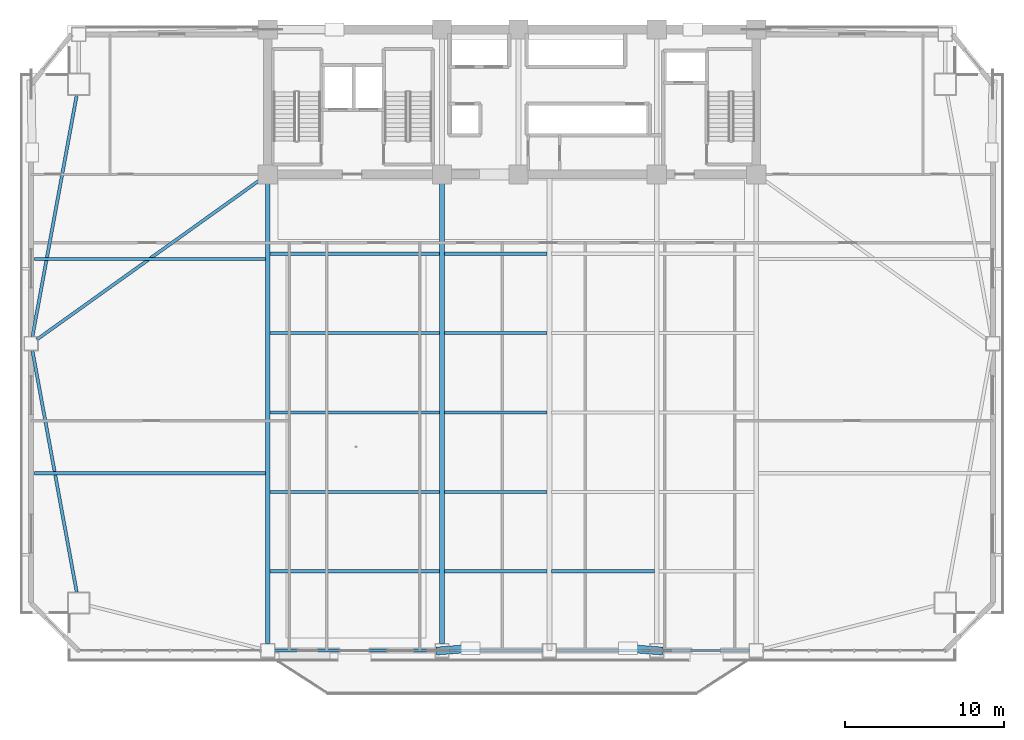
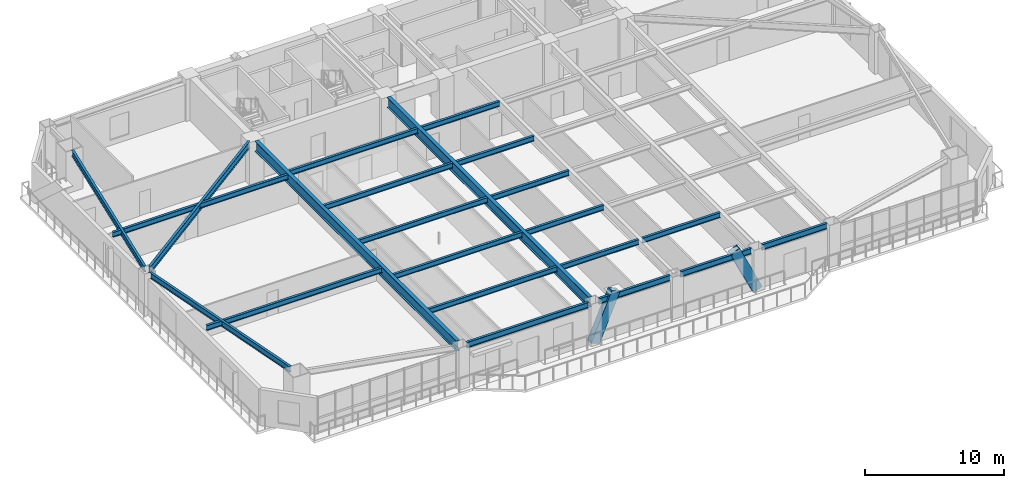
# One storey, part 3 of 15: 22 beams, 2 members.
"""IFC4 building model written with IfcOpenShell, lengths in metres."""

from ifc_helpers import new_model, si_unit, direction, frame, origin, origin_2d, place, context, subcontext, project, spatial, hollow_rectangle, i_section, extrude, source, transform, mapped, material, material_profile, profile_set, type_object, element, save


model = new_model("IFC4")

# Units and contexts
model_context = context("Model", 3, precision=1e-05, world=origin(), true_north=direction((0.0, 1.0)))
body_context = subcontext(model_context, "Body", "Model", "MODEL_VIEW")
ifc_project = project(units=[si_unit("LENGTHUNIT", "METRE"), si_unit("AREAUNIT", "SQUARE_METRE"), si_unit("VOLUMEUNIT", "CUBIC_METRE"), si_unit("PLANEANGLEUNIT", "RADIAN"), si_unit("MASSUNIT", "GRAM", prefix="KILO")], contexts=[model_context])

# Site, building, storey
site_placement = place(None, origin())
site = spatial("IfcSite", under=ifc_project, at=site_placement, CompositionType="ELEMENT")
building_placement = place(site_placement, origin())
building = spatial("IfcBuilding", under=site, at=building_placement, Name="Giltprow Tower", CompositionType="ELEMENT")
storey_placement = place(building_placement, frame((0.0, 0.0, 123.10009765625)))
storey = spatial("IfcBuildingStorey", under=building, at=storey_placement, Name="L30", CompositionType="ELEMENT", Elevation=123.10009765625)

# Beams
ifc_material_1 = material(Name="Structural steel Q355B", Category="steel")
ifc_material_profile_1 = material_profile(ifc_material_1, i_section(OverallWidth=0.199951171875, OverallDepth=0.449951171875, WebThickness=0.009033203125, FlangeThickness=0.013916015625, at=origin_2d()), Name="HN 450x200x9x14")
ifc_profile_set_1 = profile_set([ifc_material_profile_1], Name="Structural steel Q355B")
beam_type_1 = type_object("IfcBeamType", Name="BM-JOIST-HN450", PredefinedType="JOIST", material=ifc_profile_set_1)
shared_shape_1 = source(origin(), body_context, "Body", "SweptSolid", [
    extrude(i_section(OverallWidth=0.199951171875, OverallDepth=0.449951171875, WebThickness=0.009033203125, FlangeThickness=0.013916015625, at=origin_2d()), origin(), (0.0, 0.0, 1.0), 10.659912109375),
])
for number, where, z_axis, x_axis, name in (
    (1, (19.9951171875, 12.507080078125, 3.454833984375), (1.0, 0.0, 0.0), (0.0, 1.0, 0.0), "L30 Composite Floor Joist 1-1"),
    (2, (19.9951171875, 17.4951171875, 3.454833984375), (1.0, 0.0, 0.0), (0.0, 1.0, 0.0), "L30 Composite Floor Joist 2-1"),
    (3, (19.9951171875, 22.48388671875, 3.454833984375), (1.0, 0.0, 0.0), (0.0, 1.0, 0.0), "L30 Composite Floor Joist 3-1"),
    (4, (19.9951171875, 27.472900390625, 3.454833984375), (1.0, 0.0, 0.0), (0.0, 1.0, 0.0), "L30 Composite Floor Joist 4-1"),
    (5, (19.9951171875, 32.4609375, 3.454833984375), (1.0, 0.0, 0.0), (0.0, 1.0, 0.0), "L30 Composite Floor Joist 5-1"),
):
    element("IfcBeam", number, at=place(storey_placement, frame(where, z_axis=z_axis, x_axis=x_axis)), inside=storey, type_object=beam_type_1, Name=name, PredefinedType="JOIST", context=body_context, shape_type="MappedRepresentation", body=[
        mapped(shared_shape_1, transform((0.0, 0.0, 0.0), x_axis=(1.0, 0.0, 0.0), y_axis=(0.0, 1.0, 0.0), z_axis=(0.0, 0.0, 1.0), scale=1.0)),
    ])
shared_shape_2 = source(origin(), body_context, "Body", "SweptSolid", [
    extrude(i_section(OverallWidth=0.199951171875, OverallDepth=0.449951171875, WebThickness=0.009033203125, FlangeThickness=0.013916015625, at=origin_2d()), origin(), (0.0, 0.0, 1.0), 6.4599609375),
])
for number, where, z_axis, x_axis, name in (
    (6, (30.945068359375, 12.507080078125, 3.454833984375), (1.0, 0.0, 0.0), (0.0, 1.0, 0.0), "L30 Composite Floor Joist 1-2"),
    (7, (37.695068359375, 12.507080078125, 3.454833984375), (1.0, 0.0, 0.0), (0.0, 1.0, 0.0), "L30 Composite Floor Joist 1-3"),
    (8, (30.945068359375, 17.4951171875, 3.454833984375), (1.0, 0.0, 0.0), (0.0, 1.0, 0.0), "L30 Composite Floor Joist 2-2"),
    (9, (30.945068359375, 22.48388671875, 3.454833984375), (1.0, 0.0, 0.0), (0.0, 1.0, 0.0), "L30 Composite Floor Joist 3-2"),
    (10, (30.945068359375, 27.472900390625, 3.454833984375), (1.0, 0.0, 0.0), (0.0, 1.0, 0.0), "L30 Composite Floor Joist 4-2"),
    (11, (30.945068359375, 32.4609375, 3.454833984375), (1.0, 0.0, 0.0), (0.0, 1.0, 0.0), "L30 Composite Floor Joist 5-2"),
):
    element("IfcBeam", number, at=place(storey_placement, frame(where, z_axis=z_axis, x_axis=x_axis)), inside=storey, type_object=beam_type_1, Name=name, PredefinedType="JOIST", context=body_context, shape_type="MappedRepresentation", body=[
        mapped(shared_shape_2, transform((0.0, 0.0, 0.0), x_axis=(1.0, 0.0, 0.0), y_axis=(0.0, 1.0, 0.0), z_axis=(0.0, 0.0, 1.0), scale=1.0)),
    ])
ifc_material_profile_2 = material_profile(ifc_material_1, i_section(OverallWidth=0.199951171875, OverallDepth=0.5, WebThickness=0.010009765625, FlangeThickness=0.01611328125, at=origin_2d()), Name="HN 500x200x10x16")
ifc_profile_set_2 = profile_set([ifc_material_profile_2], Name="Structural steel Q355B")
beam_type_2 = type_object("IfcBeamType", Name="BM-SPAN-HN500", PredefinedType="SPANDREL", material=ifc_profile_set_2)
shared_shape_3 = source(origin(), body_context, "Body", "SweptSolid", [
    extrude(i_section(OverallWidth=0.199951171875, OverallDepth=0.5, WebThickness=0.010009765625, FlangeThickness=0.01611328125, at=origin_2d()), origin(), (0.0, 0.0, 1.0), 10.080078125),
])
beam_1_placement = place(storey_placement, frame((20.284912109375, 7.51806640625, 3.429931640625), z_axis=(1.0, 0.0, 0.0), x_axis=(0.0, 1.0, 0.0)))
element("IfcBeam", 12, at=beam_1_placement, inside=storey, type_object=beam_type_2, Name="L30 Perimeter Spandrel Beam S1-S2", PredefinedType="SPANDREL", context=body_context, shape_type="MappedRepresentation", body=[
    mapped(shared_shape_3, transform((0.0, 0.0, 0.0), x_axis=(1.0, 0.0, 0.0), y_axis=(0.0, 1.0, 0.0), z_axis=(0.0, 0.0, 1.0), scale=1.0)),
])
shared_shape_4 = source(origin(), body_context, "Body", "SweptSolid", [
    extrude(i_section(OverallWidth=0.199951171875, OverallDepth=0.5, WebThickness=0.010009765625, FlangeThickness=0.01611328125, at=origin_2d()), origin(), (0.0, 0.0, 1.0), 5.8798828125),
])
for number, where, z_axis, x_axis, name in (
    (13, (31.235107421875, 7.51806640625, 3.429931640625), (1.0, 0.0, 0.0), (0.0, 1.0, 0.0), "L30 Perimeter Spandrel Beam S2-S_MID"),
    (14, (37.985107421875, 7.51806640625, 3.429931640625), (1.0, 0.0, 0.0), (0.0, 1.0, 0.0), "L30 Perimeter Spandrel Beam S_MID-S3"),
):
    element("IfcBeam", number, at=place(storey_placement, frame(where, z_axis=z_axis, x_axis=x_axis)), inside=storey, type_object=beam_type_2, Name=name, PredefinedType="SPANDREL", context=body_context, shape_type="MappedRepresentation", body=[
        mapped(shared_shape_4, transform((0.0, 0.0, 0.0), x_axis=(1.0, 0.0, 0.0), y_axis=(0.0, 1.0, 0.0), z_axis=(0.0, 0.0, 1.0), scale=1.0)),
    ])
shared_shape_5 = source(origin(), body_context, "Body", "SweptSolid", [
    extrude(i_section(OverallWidth=0.199951171875, OverallDepth=0.5, WebThickness=0.010009765625, FlangeThickness=0.01611328125, at=origin_2d()), origin(), (0.0, 0.0, 1.0), 5.3798828125),
])
beam_2_placement = place(storey_placement, frame((44.735107421875, 7.51806640625, 3.429931640625), z_axis=(1.0, 0.0, 0.0), x_axis=(0.0, 1.0, 0.0)))
element("IfcBeam", 15, at=beam_2_placement, inside=storey, type_object=beam_type_2, Name="L30 Perimeter Spandrel Beam S3-S4", PredefinedType="SPANDREL", context=body_context, shape_type="MappedRepresentation", body=[
    mapped(shared_shape_5, transform((0.0, 0.0, 0.0), x_axis=(1.0, 0.0, 0.0), y_axis=(0.0, 1.0, 0.0), z_axis=(0.0, 0.0, 1.0), scale=1.0)),
])
shared_shape_6 = source(origin(), body_context, "Body", "SweptSolid", [
    extrude(i_section(OverallWidth=0.199951171875, OverallDepth=0.5, WebThickness=0.010009765625, FlangeThickness=0.01611328125, at=origin_2d()), origin(), (0.0, 0.0, 1.0), 15.45166015625),
])
for number, where, z_axis, x_axis, name in (
    (16, (7.845947265625, 42.43505859375, 3.429931640625), (-0.180424428161, -0.983588849938, 0.0), (0.983588849938, -0.180424428161, 0.0), "L30 Perimeter Spandrel Beam MC_NW-W_MID"),
    (17, (5.05810546875, 26.381103515625, 3.429931640625), (0.180424428161, -0.983588849938, 0.0), (0.983588849938, 0.180424428161, 0.0), "L30 Perimeter Spandrel Beam W_MID-MC_SW"),
):
    element("IfcBeam", number, at=place(storey_placement, frame(where, z_axis=z_axis, x_axis=x_axis)), inside=storey, type_object=beam_type_2, Name=name, PredefinedType="SPANDREL", context=body_context, shape_type="MappedRepresentation", body=[
        mapped(shared_shape_6, transform((0.0, 0.0, 0.0), x_axis=(1.0, 0.0, 0.0), y_axis=(0.0, 1.0, 0.0), z_axis=(0.0, 0.0, 1.0), scale=1.0)),
    ])
ifc_material_profile_3 = material_profile(ifc_material_1, i_section(OverallWidth=0.300048828125, OverallDepth=0.89990234375, WebThickness=0.01611328125, FlangeThickness=0.028076171875, at=origin_2d()), Name="HN 900x300x16x28")
ifc_profile_set_3 = profile_set([ifc_material_profile_3], Name="Structural steel Q355B")
beam_type_3 = type_object("IfcBeamType", Name="BM-GIRD-HN900", PredefinedType="BEAM", material=ifc_profile_set_3)
shared_shape_7 = source(origin(), body_context, "Body", "SweptSolid", [
    extrude(i_section(OverallWidth=0.300048828125, OverallDepth=0.89990234375, WebThickness=0.01611328125, FlangeThickness=0.028076171875, at=origin_2d()), origin(), (0.0, 0.0, 1.0), 28.912109375),
])
for number, where, z_axis, x_axis, name in (
    (18, (19.85009765625, 7.952880859375, 3.22998046875), (0.0, 1.0, 0.0), (-1.0, 0.0, 0.0), "L30 Primary Lease Girder S1"),
    (19, (30.800048828125, 7.952880859375, 3.22998046875), (0.0, 1.0, 0.0), (-1.0, 0.0, 0.0), "L30 Primary Lease Girder S2"),
):
    element("IfcBeam", number, at=place(storey_placement, frame(where, z_axis=z_axis, x_axis=x_axis)), inside=storey, type_object=beam_type_3, Name=name, PredefinedType="BEAM", context=body_context, shape_type="MappedRepresentation", body=[
        mapped(shared_shape_7, transform((0.0, 0.0, 0.0), x_axis=(1.0, 0.0, 0.0), y_axis=(0.0, 1.0, 0.0), z_axis=(0.0, 0.0, 1.0), scale=1.0)),
    ])
ifc_material_profile_4 = material_profile(ifc_material_1, i_section(OverallWidth=0.199951171875, OverallDepth=0.60009765625, WebThickness=0.010986328125, FlangeThickness=0.01708984375, at=origin_2d()), Name="HN 600x200x11x17")
ifc_profile_set_4 = profile_set([ifc_material_profile_4], Name="Structural steel Q355B")
beam_type_4 = type_object("IfcBeamType", Name="BM-GIRD-HN600", PredefinedType="BEAM", material=ifc_profile_set_4)
shared_shape_8 = source(origin(), body_context, "Body", "SweptSolid", [
    extrude(i_section(OverallWidth=0.199951171875, OverallDepth=0.60009765625, WebThickness=0.010986328125, FlangeThickness=0.01708984375, at=origin_2d()), origin(), (0.0, 0.0, 1.0), 17.265869140625),
])
beam_3_placement = place(storey_placement, frame((5.3330078125, 27.06201171875, 3.3798828125), z_axis=(0.813218189266, 0.581958913194, 0.0), x_axis=(-0.581958913194, 0.813218189266, 0.0)))
element("IfcBeam", 20, at=beam_3_placement, inside=storey, type_object=beam_type_4, Name="L30 West Wing Primary Girder", PredefinedType="BEAM", context=body_context, shape_type="MappedRepresentation", body=[
    mapped(shared_shape_8, transform((0.0, 0.0, 0.0), x_axis=(1.0, 0.0, 0.0), y_axis=(0.0, 1.0, 0.0), z_axis=(0.0, 0.0, 1.0), scale=1.0)),
])
shared_shape_9 = source(origin(), body_context, "Body", "SweptSolid", [
    extrude(i_section(OverallWidth=0.199951171875, OverallDepth=0.449951171875, WebThickness=0.009033203125, FlangeThickness=0.013916015625, at=origin_2d()), origin(), (0.0, 0.0, 1.0), 14.506103515625),
])
for number, where, z_axis, x_axis, name in (
    (21, (5.198974609375, 18.658935546875, 3.454833984375), (1.0, 0.0, 0.0), (0.0, 1.0, 0.0), "L30 West Wing Floor Joist 1"),
    (22, (5.198974609375, 32.1298828125, 3.454833984375), (1.0, 0.0, 0.0), (0.0, 1.0, 0.0), "L30 West Wing Floor Joist 2"),
):
    element("IfcBeam", number, at=place(storey_placement, frame(where, z_axis=z_axis, x_axis=x_axis)), inside=storey, type_object=beam_type_1, Name=name, PredefinedType="JOIST", context=body_context, shape_type="MappedRepresentation", body=[
        mapped(shared_shape_9, transform((0.0, 0.0, 0.0), x_axis=(1.0, 0.0, 0.0), y_axis=(0.0, 1.0, 0.0), z_axis=(0.0, 0.0, 1.0), scale=1.0)),
    ])

# Members
ifc_material_2 = material(Name="Structural steel Q420GJC", Category="steel")
ifc_material_profile_5 = material_profile(ifc_material_2, hollow_rectangle(XDim=0.5, YDim=0.800048828125, WallThickness=0.035888671875, at=origin_2d()), Name="RHS 800x500x36")
ifc_profile_set_5 = profile_set([ifc_material_profile_5], Name="Structural steel Q420GJC")
member_type = type_object("IfcMemberType", Name="MBR-MEGA-RHS800", PredefinedType="BRACE", material=ifc_profile_set_5)
shared_shape_10 = source(origin(), body_context, "Body", "SweptSolid", [
    extrude(hollow_rectangle(XDim=0.5, YDim=0.800048828125, WallThickness=0.035888671875, at=origin_2d()), origin(), (0.0, 0.0, 1.0), 4.298828125),
])
for number, where, z_axis, x_axis, name in (
    (23, (30.800048828125, 7.51806640625, 0.0), (0.419412871562, 0.032769292741, 0.90720395536), (-0.077893956943, 0.99696164995, 0.0), "L30 Chevron Mega-Brace S-L"),
    (24, (44.300048828125, 7.51806640625, 0.0), (-0.419412871562, 0.032769292741, 0.90720395536), (-0.077893956943, -0.99696164995, 0.0), "L30 Chevron Mega-Brace S-R"),
):
    element("IfcMember", number, at=place(storey_placement, frame(where, z_axis=z_axis, x_axis=x_axis)), inside=storey, type_object=member_type, Name=name, PredefinedType="BRACE", context=body_context, shape_type="MappedRepresentation", body=[
        mapped(shared_shape_10, transform((0.0, 0.0, 0.0), x_axis=(1.0, 0.0, 0.0), y_axis=(0.0, 1.0, 0.0), z_axis=(0.0, 0.0, 1.0), scale=1.0)),
    ])

save(model, "model.ifc")
